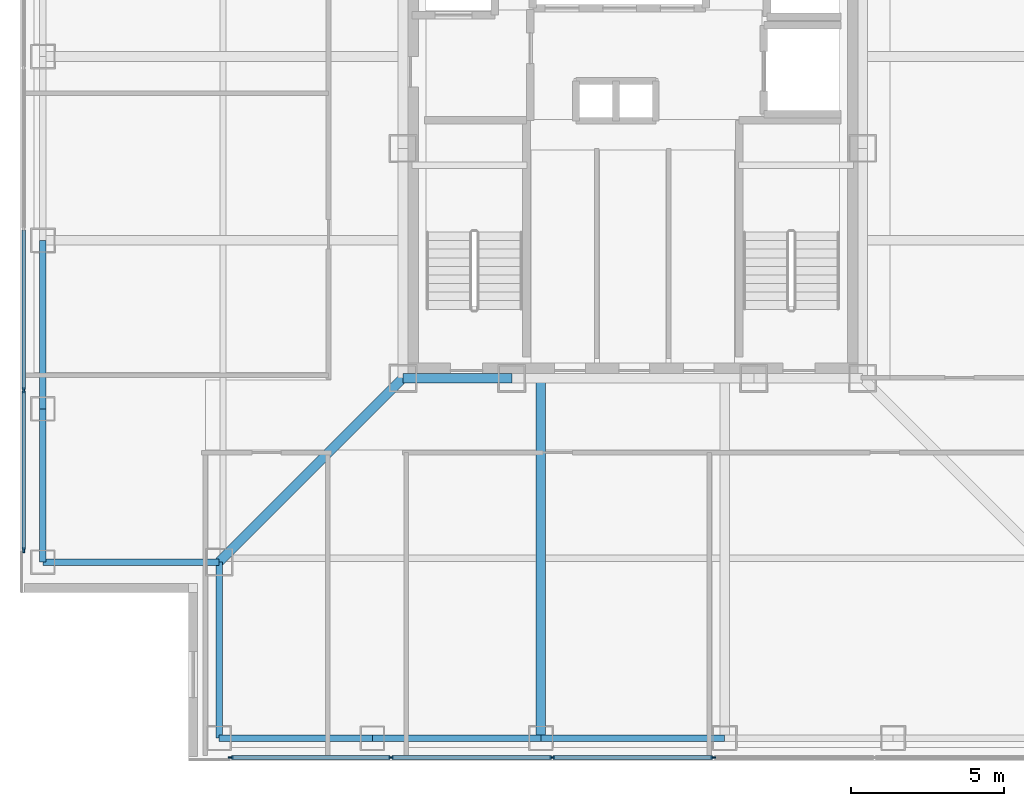
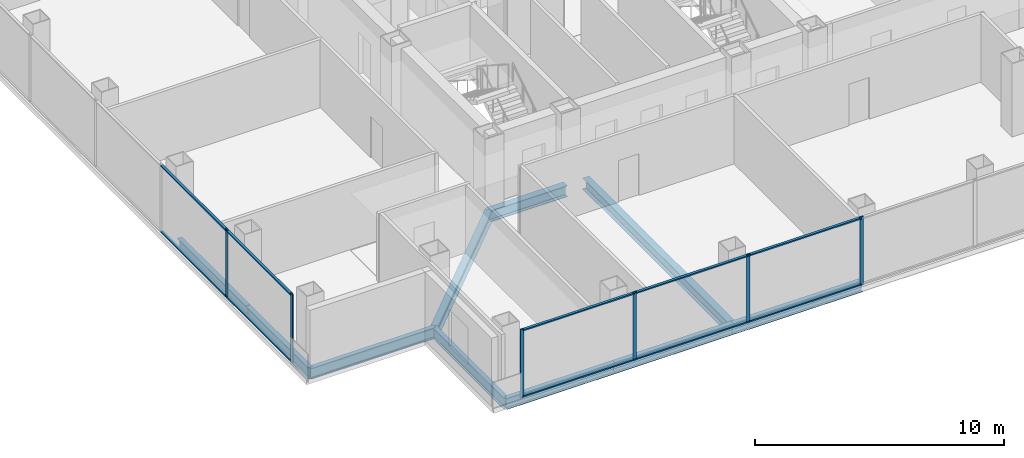
# One storey, part 2 of 18: 16 members, 10 beams, 2 elements without a shape of their own.
"""IFC4 building model written with IfcOpenShell, lengths in metres."""

from ifc_helpers import new_model, si_unit, direction, frame, origin, origin_2d, place, context, subcontext, project, spatial, rectangle, i_section, extrude, material, layer, layer_set, material_profile, profile_set, type_object, element, aggregate, save


model = new_model("IFC4")

# Units and contexts
model_context = context("Model", 3, precision=1e-05, world=origin(), true_north=direction((0.0, 1.0)))
body_context = subcontext(model_context, "Body", "Model", "MODEL_VIEW")
ifc_project = project(units=[si_unit("LENGTHUNIT", "METRE"), si_unit("AREAUNIT", "SQUARE_METRE"), si_unit("VOLUMEUNIT", "CUBIC_METRE"), si_unit("PLANEANGLEUNIT", "RADIAN"), si_unit("MASSUNIT", "GRAM", prefix="KILO")], contexts=[model_context])

# Site, building, storey
site_placement = place(None, origin())
site = spatial("IfcSite", under=ifc_project, at=site_placement, CompositionType="ELEMENT")
building_placement = place(site_placement, origin())
building = spatial("IfcBuilding", under=site, at=building_placement, Name="Trevonay Congress Spire", CompositionType="ELEMENT")
storey_placement = place(building_placement, frame((0.0, 0.0, 220.199951171875)))
storey = spatial("IfcBuildingStorey", under=building, at=storey_placement, Name="L57", CompositionType="ELEMENT", Elevation=220.199951171875)

# Beams
ifc_material_1 = material(Name="Steel ASTM A572 Grade 50", Category="steel")
ifc_material_profile_1 = material_profile(ifc_material_1, i_section(OverallWidth=0.31201171875, OverallDepth=0.54296875, WebThickness=0.0126953125, FlangeThickness=0.020263671875, FilletRadius=0.014892578125, at=origin_2d()), Name="W530x150")
ifc_profile_set_1 = profile_set([ifc_material_profile_1], Name="Steel ASTM A572 Grade 50")
beam_type_1 = type_object("IfcBeamType", Name="BM-GIRD-W530X150", PredefinedType="BEAM", material=ifc_profile_set_1)
beam_1_placement = place(storey_placement, frame((-7.5, -7.5, -0.511474609375), z_axis=(1.0, 0.0, 0.0), x_axis=(0.0, 1.0, 0.0)))
element("IfcBeam", 1, at=beam_1_placement, inside=storey, type_object=beam_type_1, Name="L57 structural beam BM-L57-CR-S1", PredefinedType="BEAM", context=body_context, shape_type="SweptSolid", body=[
    extrude(i_section(OverallWidth=0.31201171875, OverallDepth=0.54296875, WebThickness=0.0126953125, FlangeThickness=0.020263671875, FilletRadius=0.014892578125, at=origin_2d()), origin(), (0.0, 0.0, 1.0), 3.550048828125),
])
beam_2_placement = place(storey_placement, frame((-7.5, -7.5, -0.511474609375), z_axis=(-0.707106781187, -0.707106781187, 0.0), x_axis=(0.707106781187, -0.707106781187, 0.0)))
element("IfcBeam", 2, at=beam_2_placement, inside=storey, type_object=beam_type_1, Name="L57 structural beam BM-L57-CDSW", PredefinedType="BEAM", context=body_context, shape_type="SweptSolid", body=[
    extrude(i_section(OverallWidth=0.31201171875, OverallDepth=0.54296875, WebThickness=0.0126953125, FlangeThickness=0.020263671875, FilletRadius=0.014892578125, at=origin_2d()), origin(), (0.0, 0.0, 1.0), 8.4853515625),
])
beam_3_placement = place(storey_placement, frame((-3.0, -7.5, -0.511474609375), z_axis=(0.0, -1.0, 0.0), x_axis=(1.0, 0.0, 0.0)))
element("IfcBeam", 3, at=beam_3_placement, inside=storey, type_object=beam_type_1, Name="L57 structural beam BM-L57-GS-M", PredefinedType="BEAM", context=body_context, shape_type="SweptSolid", body=[
    extrude(i_section(OverallWidth=0.31201171875, OverallDepth=0.54296875, WebThickness=0.0126953125, FlangeThickness=0.020263671875, FilletRadius=0.014892578125, at=origin_2d()), origin(), (0.0, 0.0, 1.0), 11.75),
])
ifc_material_profile_2 = material_profile(ifc_material_1, i_section(OverallWidth=0.2119140625, OverallDepth=0.5439453125, WebThickness=0.01318359375, FlangeThickness=0.021240234375, FilletRadius=0.014892578125, at=origin_2d()), Name="W530x123")
ifc_profile_set_2 = profile_set([ifc_material_profile_2], Name="Steel ASTM A572 Grade 50")
beam_type_2 = type_object("IfcBeamType", Name="BM-RING-W530X123", PredefinedType="BEAM", material=ifc_profile_set_2)
for number, where, z_axis, x_axis, name in (
    (4, (-13.5, -19.25, -0.511962890625), (1.0, 0.0, 0.0), (0.0, 1.0, 0.0), "L57 structural beam BM-L57-PS1"),
    (5, (-19.25, -13.5, -0.511962890625), (0.0, 1.0, 0.0), (-1.0, 0.0, 0.0), "L57 structural beam BM-L57-PW1"),
):
    element("IfcBeam", number, at=place(storey_placement, frame(where, z_axis=z_axis, x_axis=x_axis)), inside=storey, type_object=beam_type_2, Name=name, PredefinedType="BEAM", context=body_context, shape_type="SweptSolid", body=[
        extrude(i_section(OverallWidth=0.2119140625, OverallDepth=0.5439453125, WebThickness=0.01318359375, FlangeThickness=0.021240234375, FilletRadius=0.014892578125, at=origin_2d()), origin(), (0.0, 0.0, 1.0), 5.0),
    ])
for number, where, z_axis, x_axis, name in (
    (6, (-8.5, -19.25, -0.511962890625), (1.0, 0.0, 0.0), (0.0, 1.0, 0.0), "L57 structural beam BM-L57-PS2"),
    (7, (-19.25, -8.5, -0.511962890625), (0.0, 1.0, 0.0), (-1.0, 0.0, 0.0), "L57 structural beam BM-L57-PW2"),
):
    element("IfcBeam", number, at=place(storey_placement, frame(where, z_axis=z_axis, x_axis=x_axis)), inside=storey, type_object=beam_type_2, Name=name, PredefinedType="BEAM", context=body_context, shape_type="SweptSolid", body=[
        extrude(i_section(OverallWidth=0.2119140625, OverallDepth=0.5439453125, WebThickness=0.01318359375, FlangeThickness=0.021240234375, FilletRadius=0.014892578125, at=origin_2d()), origin(), (0.0, 0.0, 1.0), 5.5),
    ])
beam_4_placement = place(storey_placement, frame((-3.0, -19.25, -0.511962890625), z_axis=(1.0, 0.0, 0.0), x_axis=(0.0, 1.0, 0.0)))
element("IfcBeam", 8, at=beam_4_placement, inside=storey, type_object=beam_type_2, Name="L57 structural beam BM-L57-PS3", PredefinedType="BEAM", context=body_context, shape_type="SweptSolid", body=[
    extrude(i_section(OverallWidth=0.2119140625, OverallDepth=0.5439453125, WebThickness=0.01318359375, FlangeThickness=0.021240234375, FilletRadius=0.014892578125, at=origin_2d()), origin(), (0.0, 0.0, 1.0), 6.0),
])
for number, where, z_axis, x_axis, name in (
    (9, (-13.5, -19.25, -0.511962890625), (0.0, 1.0, 0.0), (-1.0, 0.0, 0.0), "L57 structural beam BM-L57-N1SW"),
    (10, (-19.25, -13.5, -0.511962890625), (1.0, 0.0, 0.0), (0.0, 1.0, 0.0), "L57 structural beam BM-L57-N2SW"),
):
    element("IfcBeam", number, at=place(storey_placement, frame(where, z_axis=z_axis, x_axis=x_axis)), inside=storey, type_object=beam_type_2, Name=name, PredefinedType="BEAM", context=body_context, shape_type="SweptSolid", body=[
        extrude(i_section(OverallWidth=0.2119140625, OverallDepth=0.5439453125, WebThickness=0.01318359375, FlangeThickness=0.021240234375, FilletRadius=0.014892578125, at=origin_2d()), origin(), (0.0, 0.0, 1.0), 5.75),
    ])

# Curtain wall, members
ifc_material_2 = material(Name="Pale Anodised Aluminium EN AW-6063-T6", Category="aluminium")
ifc_layer = layer(ifc_material_2, 0.169921875, Name="Pale Anodised Aluminium EN AW-6063-T6")
ifc_layer_set = layer_set([ifc_layer], Name="Pale Anodised Aluminium EN AW-6063-T6")
curtain_wall_type = type_object("IfcCurtainWallType", Name="CW-SYS04-CORP-PALE-METAL", PredefinedType="NOTDEFINED", material=ifc_layer_set)
curtain_wall_1_placement = place(storey_placement, origin())
curtain_wall_1 = element("IfcCurtainWall", 11, at=curtain_wall_1_placement, inside=storey, type_object=curtain_wall_type, Name="L57 S unitised curtain wall", PredefinedType="NOTDEFINED")
ifc_material_profile_3 = material_profile(ifc_material_2, rectangle(XDim=0.06005859375, YDim=0.159912109375, at=origin_2d()), Name="CW-MULLION-160-ALUMINIUM")
ifc_profile_set_3 = profile_set([ifc_material_profile_3], Name="Pale Anodised Aluminium EN AW-6063-T6")
member_type_1 = type_object("IfcMemberType", Name="CW-MULLION-160-ALUMINIUM", PredefinedType="MULLION", material=ifc_profile_set_3)
member_1_placement = place(storey_placement, frame((-13.1201171875, -19.8798828125, 0.0), z_axis=(0.0, 0.0, 1.0), x_axis=(0.0, 1.0, 0.0)))
member_1 = element("IfcMember", 12, at=member_1_placement, type_object=member_type_1, Name="CW04 mullion 1", PredefinedType="MULLION", context=body_context, shape_type="SweptSolid", body=[
    extrude(rectangle(XDim=0.06005859375, YDim=0.159912109375, at=origin_2d()), origin(), (0.0, 0.0, 1.0), 3.360107421875),
])
member_2_placement = place(storey_placement, frame((-7.889892578125, -19.8798828125, 0.0), z_axis=(0.0, 0.0, 1.0), x_axis=(0.0, 1.0, 0.0)))
member_2 = element("IfcMember", 13, at=member_2_placement, type_object=member_type_1, Name="CW04 mullion 2", PredefinedType="MULLION", context=body_context, shape_type="SweptSolid", body=[
    extrude(rectangle(XDim=0.06005859375, YDim=0.159912109375, at=origin_2d()), origin(), (0.0, 0.0, 1.0), 3.360107421875),
])
member_3_placement = place(storey_placement, frame((-2.6298828125, -19.8798828125, 0.0), z_axis=(0.0, 0.0, 1.0), x_axis=(0.0, 1.0, 0.0)))
member_3 = element("IfcMember", 14, at=member_3_placement, type_object=member_type_1, Name="CW04 mullion 3", PredefinedType="MULLION", context=body_context, shape_type="SweptSolid", body=[
    extrude(rectangle(XDim=0.06005859375, YDim=0.159912109375, at=origin_2d()), origin(), (0.0, 0.0, 1.0), 3.360107421875),
])
member_4_placement = place(storey_placement, frame((2.6298828125, -19.8798828125, 0.0), z_axis=(0.0, 0.0, 1.0), x_axis=(0.0, 1.0, 0.0)))
member_4 = element("IfcMember", 15, at=member_4_placement, type_object=member_type_1, Name="CW04 mullion 4", PredefinedType="MULLION", context=body_context, shape_type="SweptSolid", body=[
    extrude(rectangle(XDim=0.06005859375, YDim=0.159912109375, at=origin_2d()), origin(), (0.0, 0.0, 1.0), 3.360107421875),
])

curtain_wall_2_placement = place(storey_placement, origin())
curtain_wall_2 = element("IfcCurtainWall", 16, at=curtain_wall_2_placement, inside=storey, type_object=curtain_wall_type, Name="L57 W unitised curtain wall", PredefinedType="NOTDEFINED")
member_5_placement = place(storey_placement, frame((-19.8798828125, -13.1201171875, 0.0), z_axis=(0.0, 0.0, 1.0), x_axis=(-1.0, 0.0, 0.0)))
member_5 = element("IfcMember", 17, at=member_5_placement, type_object=member_type_1, Name="CW04 mullion 1", PredefinedType="MULLION", context=body_context, shape_type="SweptSolid", body=[
    extrude(rectangle(XDim=0.06005859375, YDim=0.159912109375, at=origin_2d()), origin(), (0.0, 0.0, 1.0), 3.360107421875),
])
member_6_placement = place(storey_placement, frame((-19.8798828125, -7.889892578125, 0.0), z_axis=(0.0, 0.0, 1.0), x_axis=(-1.0, 0.0, 0.0)))
member_6 = element("IfcMember", 18, at=member_6_placement, type_object=member_type_1, Name="CW04 mullion 2", PredefinedType="MULLION", context=body_context, shape_type="SweptSolid", body=[
    extrude(rectangle(XDim=0.06005859375, YDim=0.159912109375, at=origin_2d()), origin(), (0.0, 0.0, 1.0), 3.360107421875),
])

# Member
ifc_material_profile_4 = material_profile(ifc_material_2, rectangle(XDim=0.1201171875, YDim=0.06005859375, at=origin_2d()), Name="CW-TRANSOM-120-ALUMINIUM")
ifc_profile_set_4 = profile_set([ifc_material_profile_4], Name="Pale Anodised Aluminium EN AW-6063-T6")
member_type_2 = type_object("IfcMemberType", Name="CW-TRANSOM-120-ALUMINIUM", PredefinedType="USERDEFINED", material=ifc_profile_set_4)
member_7_placement = place(storey_placement, frame((-13.090087890625, -19.8798828125, 0.06005859375), z_axis=(1.0, 0.0, 0.0), x_axis=(0.0, 1.0, 0.0)))
member_7 = element("IfcMember", 19, at=member_7_placement, type_object=member_type_2, Name="CW04 transom 1.1", ObjectType="TRANSOM", PredefinedType="USERDEFINED", context=body_context, shape_type="SweptSolid", body=[
    extrude(rectangle(XDim=0.1201171875, YDim=0.06005859375, at=origin_2d()), origin(), (0.0, 0.0, 1.0), 5.170166015625),
])

member_8_placement = place(storey_placement, frame((-13.090087890625, -19.8798828125, 3.300048828125), z_axis=(1.0, 0.0, 0.0), x_axis=(0.0, 1.0, 0.0)))
member_8 = element("IfcMember", 20, at=member_8_placement, type_object=member_type_2, Name="CW04 transom 1.2", ObjectType="TRANSOM", PredefinedType="USERDEFINED", context=body_context, shape_type="SweptSolid", body=[
    extrude(rectangle(XDim=0.1201171875, YDim=0.06005859375, at=origin_2d()), origin(), (0.0, 0.0, 1.0), 5.170166015625),
])

member_9_placement = place(storey_placement, frame((-7.860107421875, -19.8798828125, 0.06005859375), z_axis=(1.0, 0.0, 0.0), x_axis=(0.0, 1.0, 0.0)))
member_9 = element("IfcMember", 21, at=member_9_placement, type_object=member_type_2, Name="CW04 transom 2.1", ObjectType="TRANSOM", PredefinedType="USERDEFINED", context=body_context, shape_type="SweptSolid", body=[
    extrude(rectangle(XDim=0.1201171875, YDim=0.06005859375, at=origin_2d()), origin(), (0.0, 0.0, 1.0), 5.2001953125),
])

member_10_placement = place(storey_placement, frame((-7.860107421875, -19.8798828125, 3.300048828125), z_axis=(1.0, 0.0, 0.0), x_axis=(0.0, 1.0, 0.0)))
member_10 = element("IfcMember", 22, at=member_10_placement, type_object=member_type_2, Name="CW04 transom 2.2", ObjectType="TRANSOM", PredefinedType="USERDEFINED", context=body_context, shape_type="SweptSolid", body=[
    extrude(rectangle(XDim=0.1201171875, YDim=0.06005859375, at=origin_2d()), origin(), (0.0, 0.0, 1.0), 5.2001953125),
])

member_11_placement = place(storey_placement, frame((-2.60009765625, -19.8798828125, 0.06005859375), z_axis=(1.0, 0.0, 0.0), x_axis=(0.0, 1.0, 0.0)))
member_11 = element("IfcMember", 23, at=member_11_placement, type_object=member_type_2, Name="CW04 transom 3.1", ObjectType="TRANSOM", PredefinedType="USERDEFINED", context=body_context, shape_type="SweptSolid", body=[
    extrude(rectangle(XDim=0.1201171875, YDim=0.06005859375, at=origin_2d()), origin(), (0.0, 0.0, 1.0), 5.2001953125),
])

member_12_placement = place(storey_placement, frame((-2.60009765625, -19.8798828125, 3.300048828125), z_axis=(1.0, 0.0, 0.0), x_axis=(0.0, 1.0, 0.0)))
member_12 = element("IfcMember", 24, at=member_12_placement, type_object=member_type_2, Name="CW04 transom 3.2", ObjectType="TRANSOM", PredefinedType="USERDEFINED", context=body_context, shape_type="SweptSolid", body=[
    extrude(rectangle(XDim=0.1201171875, YDim=0.06005859375, at=origin_2d()), origin(), (0.0, 0.0, 1.0), 5.2001953125),
])

aggregate(curtain_wall_1, [member_1, member_2, member_3, member_4, member_7, member_8, member_9, member_10, member_11, member_12])

member_13_placement = place(storey_placement, frame((-19.8798828125, -13.090087890625, 0.06005859375), z_axis=(0.0, 1.0, 0.0), x_axis=(-1.0, 0.0, 0.0)))
member_13 = element("IfcMember", 25, at=member_13_placement, type_object=member_type_2, Name="CW04 transom 1.1", ObjectType="TRANSOM", PredefinedType="USERDEFINED", context=body_context, shape_type="SweptSolid", body=[
    extrude(rectangle(XDim=0.1201171875, YDim=0.06005859375, at=origin_2d()), origin(), (0.0, 0.0, 1.0), 5.170166015625),
])

member_14_placement = place(storey_placement, frame((-19.8798828125, -13.090087890625, 3.300048828125), z_axis=(0.0, 1.0, 0.0), x_axis=(-1.0, 0.0, 0.0)))
member_14 = element("IfcMember", 26, at=member_14_placement, type_object=member_type_2, Name="CW04 transom 1.2", ObjectType="TRANSOM", PredefinedType="USERDEFINED", context=body_context, shape_type="SweptSolid", body=[
    extrude(rectangle(XDim=0.1201171875, YDim=0.06005859375, at=origin_2d()), origin(), (0.0, 0.0, 1.0), 5.170166015625),
])

member_15_placement = place(storey_placement, frame((-19.8798828125, -7.860107421875, 0.06005859375), z_axis=(0.0, 1.0, 0.0), x_axis=(-1.0, 0.0, 0.0)))
member_15 = element("IfcMember", 27, at=member_15_placement, type_object=member_type_2, Name="CW04 transom 2.1", ObjectType="TRANSOM", PredefinedType="USERDEFINED", context=body_context, shape_type="SweptSolid", body=[
    extrude(rectangle(XDim=0.1201171875, YDim=0.06005859375, at=origin_2d()), origin(), (0.0, 0.0, 1.0), 5.2001953125),
])

member_16_placement = place(storey_placement, frame((-19.8798828125, -7.860107421875, 3.300048828125), z_axis=(0.0, 1.0, 0.0), x_axis=(-1.0, 0.0, 0.0)))
member_16 = element("IfcMember", 28, at=member_16_placement, type_object=member_type_2, Name="CW04 transom 2.2", ObjectType="TRANSOM", PredefinedType="USERDEFINED", context=body_context, shape_type="SweptSolid", body=[
    extrude(rectangle(XDim=0.1201171875, YDim=0.06005859375, at=origin_2d()), origin(), (0.0, 0.0, 1.0), 5.2001953125),
])

aggregate(curtain_wall_2, [member_5, member_6, member_13, member_14, member_15, member_16])

save(model, "model.ifc")
